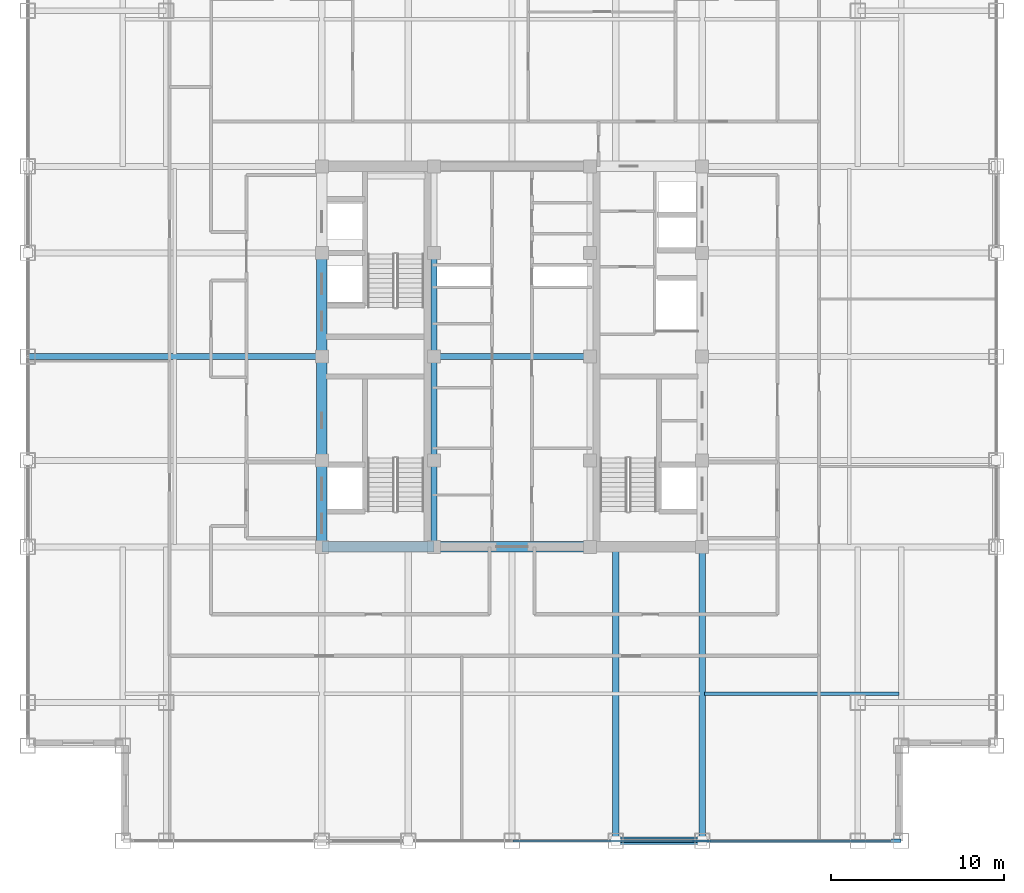
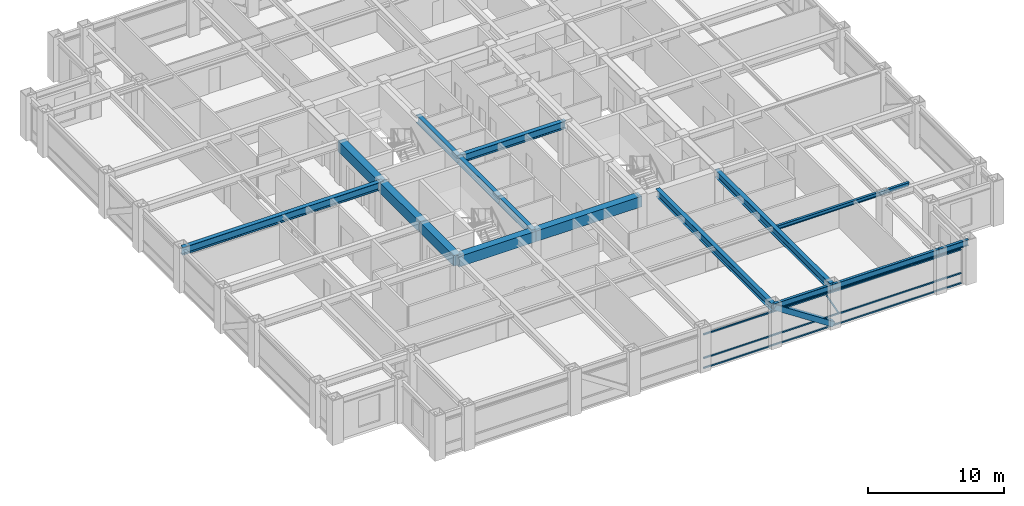
# One storey, part 7 of 22: 16 beams, 5 members, 1 element without a shape of its own.
"""IFC4 building model written with IfcOpenShell, lengths in metres."""

from ifc_helpers import new_model, si_unit, direction, frame, origin, origin_2d, place, context, subcontext, project, spatial, rectangle, hollow_rectangle, i_section, extrude, source, transform, mapped, material, material_profile, profile_set, type_object, element, aggregate, save


model = new_model("IFC4")

# Units and contexts
model_context = context("Model", 3, precision=1e-05, world=origin(), true_north=direction((0.0, 1.0)))
body_context = subcontext(model_context, "Body", "Model", "MODEL_VIEW")
ifc_project = project(units=[si_unit("LENGTHUNIT", "METRE"), si_unit("AREAUNIT", "SQUARE_METRE"), si_unit("VOLUMEUNIT", "CUBIC_METRE"), si_unit("PLANEANGLEUNIT", "RADIAN"), si_unit("MASSUNIT", "GRAM", prefix="KILO")], contexts=[model_context])

# Site, building, storey
site_placement = place(None, origin())
site = spatial("IfcSite", under=ifc_project, at=site_placement, CompositionType="ELEMENT")
building_placement = place(site_placement, origin())
building = spatial("IfcBuilding", under=site, at=building_placement, Name="Khorayat Bourse Tower", CompositionType="ELEMENT")
storey_placement = place(building_placement, frame((0.0, 0.0, 309.5)))
storey = spatial("IfcBuildingStorey", under=building, at=storey_placement, Name="L73", CompositionType="ELEMENT", Elevation=309.5)

# Beams
ifc_material_1 = material(Name="Steel ASTM A992 Grade 50", Category="steel")
ifc_material_profile_1 = material_profile(ifc_material_1, i_section(OverallWidth=0.35498046875, OverallDepth=0.695068359375, WebThickness=0.015380859375, FlangeThickness=0.02490234375, FilletRadius=0.01806640625, at=origin_2d()), Name="W690X217")
ifc_profile_set_1 = profile_set([ifc_material_profile_1], Name="Steel ASTM A992 Grade 50")
beam_type_1 = type_object("IfcBeamType", Name="BM-GIRD-690", PredefinedType="BEAM", material=ifc_profile_set_1)
shared_shape_1 = source(origin(), body_context, "Body", "SweptSolid", [
    extrude(i_section(OverallWidth=0.35498046875, OverallDepth=0.695068359375, WebThickness=0.015380859375, FlangeThickness=0.02490234375, FilletRadius=0.01806640625, at=origin_2d()), origin(), (0.0, 0.0, 1.0), 5.0),
])
beam_1_placement = place(storey_placement, frame((-4.5, -11.0, 3.4326171875), z_axis=(0.0, 1.0, 0.0), x_axis=(-1.0, 0.0, 0.0)))
element("IfcBeam", 1, at=beam_1_placement, inside=storey, type_object=beam_type_1, Name="L73 BM-GIRD-690 BM-L73-CRX-05", PredefinedType="BEAM", context=body_context, shape_type="MappedRepresentation", body=[
    mapped(shared_shape_1, transform((0.0, 0.0, 0.0), scale=1.0)),
])
shared_shape_2 = source(origin(), body_context, "Body", "SweptSolid", [
    extrude(i_section(OverallWidth=0.35498046875, OverallDepth=0.695068359375, WebThickness=0.015380859375, FlangeThickness=0.02490234375, FilletRadius=0.01806640625, at=origin_2d()), origin(), (0.0, 0.0, 1.0), 6.0),
])
for number, where, z_axis, x_axis, name in (
    (2, (-4.5, -6.0, 3.4326171875), (0.0, 1.0, 0.0), (-1.0, 0.0, 0.0), "L73 BM-GIRD-690 BM-L73-CRX-06"),
    (3, (-4.5, 0.0, 3.4326171875), (0.0, 1.0, 0.0), (-1.0, 0.0, 0.0), "L73 BM-GIRD-690 BM-L73-CRX-07"),
):
    element("IfcBeam", number, at=place(storey_placement, frame(where, z_axis=z_axis, x_axis=x_axis)), inside=storey, type_object=beam_type_1, Name=name, PredefinedType="BEAM", context=body_context, shape_type="MappedRepresentation", body=[
        mapped(shared_shape_2, transform((0.0, 0.0, 0.0), scale=1.0)),
    ])
shared_shape_3 = source(origin(), body_context, "Body", "SweptSolid", [
    extrude(i_section(OverallWidth=0.35498046875, OverallDepth=0.695068359375, WebThickness=0.015380859375, FlangeThickness=0.02490234375, FilletRadius=0.01806640625, at=origin_2d()), origin(), (0.0, 0.0, 1.0), 9.0),
])
beam_2_placement = place(storey_placement, frame((-4.5, 0.0, 3.4326171875), z_axis=(1.0, 0.0, 0.0), x_axis=(0.0, 1.0, 0.0)))
element("IfcBeam", 4, at=beam_2_placement, inside=storey, type_object=beam_type_1, Name="L73 BM-GIRD-690 BM-L73-CRY-23", PredefinedType="BEAM", context=body_context, shape_type="MappedRepresentation", body=[
    mapped(shared_shape_3, transform((0.0, 0.0, 0.0), scale=1.0)),
])
ifc_material_2 = material(Name="Concrete C60/75", Category="concrete")
ifc_material_profile_2 = material_profile(ifc_material_2, rectangle(XDim=0.60009765625, YDim=0.949951171875, at=origin_2d()), Name="RC 600x950")
ifc_profile_set_2 = profile_set([ifc_material_profile_2], Name="Concrete C60/75")
beam_type_2 = type_object("IfcBeamType", Name="BM-COUP-950", PredefinedType="BEAM", material=ifc_profile_set_2)
shared_shape_4 = source(origin(), body_context, "Body", "SweptSolid", [
    extrude(rectangle(XDim=0.60009765625, YDim=0.949951171875, at=origin_2d()), origin(), (0.0, 0.0, 1.0), 5.0),
])
beam_3_placement = place(storey_placement, frame((-11.0, -11.0, 3.304931640625), z_axis=(0.0, 1.0, 0.0), x_axis=(-1.0, 0.0, 0.0)))
element("IfcBeam", 5, at=beam_3_placement, inside=storey, type_object=beam_type_2, Name="L73 BM-COUP-950 BM-L73-CRX-01", PredefinedType="BEAM", context=body_context, shape_type="MappedRepresentation", body=[
    mapped(shared_shape_4, transform((0.0, 0.0, 0.0), scale=1.0)),
])
shared_shape_5 = source(origin(), body_context, "Body", "SweptSolid", [
    extrude(rectangle(XDim=0.60009765625, YDim=0.949951171875, at=origin_2d()), origin(), (0.0, 0.0, 1.0), 6.0),
])
for number, where, z_axis, x_axis, name in (
    (6, (-11.0, -6.0, 3.304931640625), (0.0, 1.0, 0.0), (-1.0, 0.0, 0.0), "L73 BM-COUP-950 BM-L73-CRX-02"),
    (7, (-11.0, 0.0, 3.304931640625), (0.0, 1.0, 0.0), (-1.0, 0.0, 0.0), "L73 BM-COUP-950 BM-L73-CRX-03"),
):
    element("IfcBeam", number, at=place(storey_placement, frame(where, z_axis=z_axis, x_axis=x_axis)), inside=storey, type_object=beam_type_2, Name=name, PredefinedType="BEAM", context=body_context, shape_type="MappedRepresentation", body=[
        mapped(shared_shape_5, transform((0.0, 0.0, 0.0), scale=1.0)),
    ])
shared_shape_6 = source(origin(), body_context, "Body", "SweptSolid", [
    extrude(rectangle(XDim=0.60009765625, YDim=0.949951171875, at=origin_2d()), origin(), (0.0, 0.0, 1.0), 6.5),
])
beam_4_placement = place(storey_placement, frame((-11.0, -11.0, 3.304931640625), z_axis=(1.0, 0.0, 0.0), x_axis=(0.0, 1.0, 0.0)))
element("IfcBeam", 8, at=beam_4_placement, inside=storey, type_object=beam_type_2, Name="L73 BM-COUP-950 BM-L73-CRY-17", PredefinedType="BEAM", context=body_context, shape_type="MappedRepresentation", body=[
    mapped(shared_shape_6, transform((0.0, 0.0, 0.0), scale=1.0)),
])
shared_shape_7 = source(origin(), body_context, "Body", "SweptSolid", [
    extrude(rectangle(XDim=0.60009765625, YDim=0.949951171875, at=origin_2d()), origin(), (0.0, 0.0, 1.0), 9.0),
])
beam_5_placement = place(storey_placement, frame((-4.5, -11.0, 3.304931640625), z_axis=(1.0, 0.0, 0.0), x_axis=(0.0, 1.0, 0.0)))
element("IfcBeam", 9, at=beam_5_placement, inside=storey, type_object=beam_type_2, Name="L73 BM-COUP-950 BM-L73-CRY-18", PredefinedType="BEAM", context=body_context, shape_type="MappedRepresentation", body=[
    mapped(shared_shape_7, transform((0.0, 0.0, 0.0), scale=1.0)),
])

# Member
ifc_material_3 = material(Name="Steel EN 10025-4 S460M", Category="steel")
ifc_material_profile_3 = material_profile(ifc_material_3, hollow_rectangle(XDim=0.449951171875, YDim=0.449951171875, WallThickness=0.02490234375, at=origin_2d()), Name="HSS 450x450x25")
ifc_profile_set_3 = profile_set([ifc_material_profile_3], Name="Steel EN 10025-4 S460M")
member_type_1 = type_object("IfcMemberType", Name="MBR-TUBE-450", PredefinedType="BRACE", material=ifc_profile_set_3)
shared_shape_8 = source(origin(), body_context, "Body", "SweptSolid", [
    extrude(hollow_rectangle(XDim=0.449951171875, YDim=0.449951171875, WallThickness=0.02490234375, at=origin_2d()), origin(), (0.0, 0.0, 1.0), 5.979736328125),
])
member_1_placement = place(storey_placement, frame((6.0, -28.0, 3.530029296875), z_axis=(0.836141536525, 0.0, -0.548513747227), x_axis=(0.0, 1.0, 0.0)))
element("IfcMember", 10, at=member_1_placement, inside=storey, type_object=member_type_1, Name="L73 Perimeter Tube Brace 02", PredefinedType="BRACE", context=body_context, shape_type="MappedRepresentation", body=[
    mapped(shared_shape_8, transform((0.0, 0.0, 0.0), scale=1.0)),
])

# Beams
shared_shape_9 = source(origin(), body_context, "Body", "SweptSolid", [
    extrude(i_section(OverallWidth=0.35498046875, OverallDepth=0.695068359375, WebThickness=0.015380859375, FlangeThickness=0.02490234375, FilletRadius=0.01806640625, at=origin_2d()), origin(), (0.0, 0.0, 1.0), 17.0),
])
for number, where, z_axis, x_axis, name in (
    (11, (6.0, -28.0, 3.4326171875), (0.0, 1.0, 0.0), (-1.0, 0.0, 0.0), "L73 BM-GIRD-690 BM-L73-RADY-071"),
    (12, (11.0, -28.0, 3.4326171875), (0.0, 1.0, 0.0), (-1.0, 0.0, 0.0), "L73 BM-GIRD-690 BM-L73-RADY-073"),
    (13, (-28.0, 0.0, 3.4326171875), (1.0, 0.0, 0.0), (0.0, 1.0, 0.0), "L73 BM-GIRD-690 BM-L73-RADX-079"),
):
    element("IfcBeam", number, at=place(storey_placement, frame(where, z_axis=z_axis, x_axis=x_axis)), inside=storey, type_object=beam_type_1, Name=name, PredefinedType="BEAM", context=body_context, shape_type="MappedRepresentation", body=[
        mapped(shared_shape_9, transform((0.0, 0.0, 0.0), scale=1.0)),
    ])
ifc_material_profile_4 = material_profile(ifc_material_1, i_section(OverallWidth=0.202880859375, OverallDepth=0.346923828125, WebThickness=0.0078125, FlangeThickness=0.013427734375, FilletRadius=0.010009765625, at=origin_2d()), Name="W360X64")
ifc_profile_set_4 = profile_set([ifc_material_profile_4], Name="Steel ASTM A992 Grade 50")
beam_type_3 = type_object("IfcBeamType", Name="BM-JOIST-360", PredefinedType="JOIST", material=ifc_profile_set_4)
shared_shape_10 = source(origin(), body_context, "Body", "SweptSolid", [
    extrude(i_section(OverallWidth=0.202880859375, OverallDepth=0.346923828125, WebThickness=0.0078125, FlangeThickness=0.013427734375, FilletRadius=0.010009765625, at=origin_2d()), origin(), (0.0, 0.0, 1.0), 11.240234375),
])
beam_6_placement = place(storey_placement, frame((11.1298828125, -19.5, 3.6064453125), z_axis=(1.0, 0.0, 0.0), x_axis=(0.0, 1.0, 0.0)))
element("IfcBeam", 14, at=beam_6_placement, inside=storey, type_object=beam_type_3, Name="L73 BM-JOIST-360 BM-L73-JSTX-098", PredefinedType="JOIST", context=body_context, shape_type="MappedRepresentation", body=[
    mapped(shared_shape_10, transform((0.0, 0.0, 0.0), scale=1.0)),
])
ifc_material_profile_5 = material_profile(ifc_material_1, i_section(OverallWidth=0.214111328125, OverallDepth=0.549072265625, WebThickness=0.0146484375, FlangeThickness=0.023681640625, FilletRadius=0.013916015625, at=origin_2d()), Name="W530X138")
ifc_profile_set_5 = profile_set([ifc_material_profile_5], Name="Steel ASTM A992 Grade 50")
beam_type_4 = type_object("IfcBeamType", Name="BM-SPAN-530", PredefinedType="SPANDREL", material=ifc_profile_set_5)
shared_shape_11 = source(origin(), body_context, "Body", "SweptSolid", [
    extrude(i_section(OverallWidth=0.214111328125, OverallDepth=0.549072265625, WebThickness=0.0146484375, FlangeThickness=0.023681640625, FilletRadius=0.013916015625, at=origin_2d()), origin(), (0.0, 0.0, 1.0), 2.5),
])
beam_7_placement = place(storey_placement, frame((20.0, -28.0, 3.505615234375), z_axis=(1.0, 0.0, 0.0), x_axis=(0.0, 1.0, 0.0)))
element("IfcBeam", 15, at=beam_7_placement, inside=storey, type_object=beam_type_4, Name="L73 BM-SPAN-530 BM-L73-SPN-031", PredefinedType="SPANDREL", context=body_context, shape_type="MappedRepresentation", body=[
    mapped(shared_shape_11, transform((0.0, 0.0, 0.0), scale=1.0)),
])
shared_shape_12 = source(origin(), body_context, "Body", "SweptSolid", [
    extrude(i_section(OverallWidth=0.214111328125, OverallDepth=0.549072265625, WebThickness=0.0146484375, FlangeThickness=0.023681640625, FilletRadius=0.013916015625, at=origin_2d()), origin(), (0.0, 0.0, 1.0), 9.0),
])
beam_8_placement = place(storey_placement, frame((11.0, -28.0, 3.505615234375), z_axis=(1.0, 0.0, 0.0), x_axis=(0.0, 1.0, 0.0)))
element("IfcBeam", 16, at=beam_8_placement, inside=storey, type_object=beam_type_4, Name="L73 BM-SPAN-530 BM-L73-SPN-030", PredefinedType="SPANDREL", context=body_context, shape_type="MappedRepresentation", body=[
    mapped(shared_shape_12, transform((0.0, 0.0, 0.0), scale=1.0)),
])
shared_shape_13 = source(origin(), body_context, "Body", "SweptSolid", [
    extrude(i_section(OverallWidth=0.214111328125, OverallDepth=0.549072265625, WebThickness=0.0146484375, FlangeThickness=0.023681640625, FilletRadius=0.013916015625, at=origin_2d()), origin(), (0.0, 0.0, 1.0), 5.0),
])
beam_9_placement = place(storey_placement, frame((6.0, -28.0, 3.505615234375), z_axis=(1.0, 0.0, 0.0), x_axis=(0.0, 1.0, 0.0)))
element("IfcBeam", 17, at=beam_9_placement, inside=storey, type_object=beam_type_4, Name="L73 BM-SPAN-530 BM-L73-SPN-029", PredefinedType="SPANDREL", context=body_context, shape_type="MappedRepresentation", body=[
    mapped(shared_shape_13, transform((0.0, 0.0, 0.0), scale=1.0)),
])

# Curtain wall, members
ifc_material_4 = material(Name="Aluminium EN AW-6063 T6", Category="aluminium")
curtain_wall_type = type_object("IfcCurtainWallType", Name="CW-SYS-04", PredefinedType="NOTDEFINED", material=ifc_material_4)
curtain_wall_placement = place(storey_placement, origin())
curtain_wall = element("IfcCurtainWall", 18, at=curtain_wall_placement, inside=storey, type_object=curtain_wall_type, Name="L73 Curtain Wall CW-L73-S1", PredefinedType="NOTDEFINED")
ifc_material_profile_6 = material_profile(ifc_material_4, hollow_rectangle(XDim=0.1201171875, YDim=0.1201171875, WallThickness=0.0048828125, at=origin_2d()), Name="ALU 120x120x5")
ifc_profile_set_6 = profile_set([ifc_material_profile_6], Name="Aluminium EN AW-6063 T6")
member_type_2 = type_object("IfcMemberType", Name="CWM-DIAG-120", PredefinedType="MULLION", material=ifc_profile_set_6)
shared_shape_14 = source(origin(), body_context, "Body", "SweptSolid", [
    extrude(hollow_rectangle(XDim=0.1201171875, YDim=0.1201171875, WallThickness=0.0048828125, at=origin_2d()), origin(), (0.0, 0.0, 1.0), 2.0791015625),
])
member_2_placement = place(storey_placement, frame((11.4541015625, -28.0, 1.090087890625), z_axis=(-0.465717394116, 0.0, 0.884933505309), x_axis=(0.0, -1.0, 0.0)))
member_2 = element("IfcMember", 19, at=member_2_placement, type_object=member_type_2, Name="CW-L73-S1 Faceted Diagonal Mullion 2", PredefinedType="MULLION", context=body_context, shape_type="MappedRepresentation", body=[
    mapped(shared_shape_14, transform((0.0, 0.0, 0.0), scale=1.0)),
])
ifc_material_profile_7 = material_profile(ifc_material_4, hollow_rectangle(XDim=0.1201171875, YDim=0.1201171875, WallThickness=0.0048828125, at=origin_2d()), Name="ALU 120x120x5")
ifc_profile_set_7 = profile_set([ifc_material_profile_7], Name="Aluminium EN AW-6063 T6")
member_type_3 = type_object("IfcMemberType", Name="CWT-HORZ-120", PredefinedType="USERDEFINED", material=ifc_profile_set_7)
shared_shape_15 = source(origin(), body_context, "Body", "SweptSolid", [
    extrude(hollow_rectangle(XDim=0.1201171875, YDim=0.1201171875, WallThickness=0.0048828125, at=origin_2d()), origin(), (0.0, 0.0, 1.0), 21.81982421875),
])
member_3_placement = place(storey_placement, frame((0.06005859375, -28.0, 0.06005859375), z_axis=(1.0, 0.0, 0.0), x_axis=(0.0, 1.0, 0.0)))
member_3 = element("IfcMember", 20, at=member_3_placement, type_object=member_type_3, Name="CW-L73-S1 Horizontal Transom 2-1", ObjectType="TRANSOM", PredefinedType="USERDEFINED", context=body_context, shape_type="MappedRepresentation", body=[
    mapped(shared_shape_15, transform((0.0, 0.0, 0.0), scale=1.0)),
])
member_4_placement = place(storey_placement, frame((0.06005859375, -28.0, 0.949951171875), z_axis=(1.0, 0.0, 0.0), x_axis=(0.0, 1.0, 0.0)))
member_4 = element("IfcMember", 21, at=member_4_placement, type_object=member_type_3, Name="CW-L73-S1 Horizontal Transom 2-2", ObjectType="TRANSOM", PredefinedType="USERDEFINED", context=body_context, shape_type="MappedRepresentation", body=[
    mapped(shared_shape_15, transform((0.0, 0.0, 0.0), scale=1.0)),
])
member_5_placement = place(storey_placement, frame((0.06005859375, -28.0, 3.070068359375), z_axis=(1.0, 0.0, 0.0), x_axis=(0.0, 1.0, 0.0)))
member_5 = element("IfcMember", 22, at=member_5_placement, type_object=member_type_3, Name="CW-L73-S1 Horizontal Transom 2-3", ObjectType="TRANSOM", PredefinedType="USERDEFINED", context=body_context, shape_type="MappedRepresentation", body=[
    mapped(shared_shape_15, transform((0.0, 0.0, 0.0), scale=1.0)),
])
aggregate(curtain_wall, [member_3, member_4, member_5, member_2])

save(model, "model.ifc")
